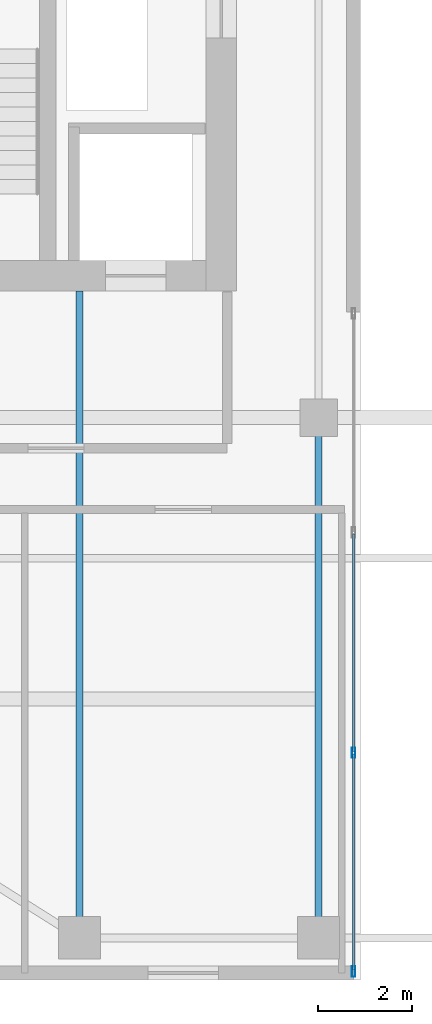
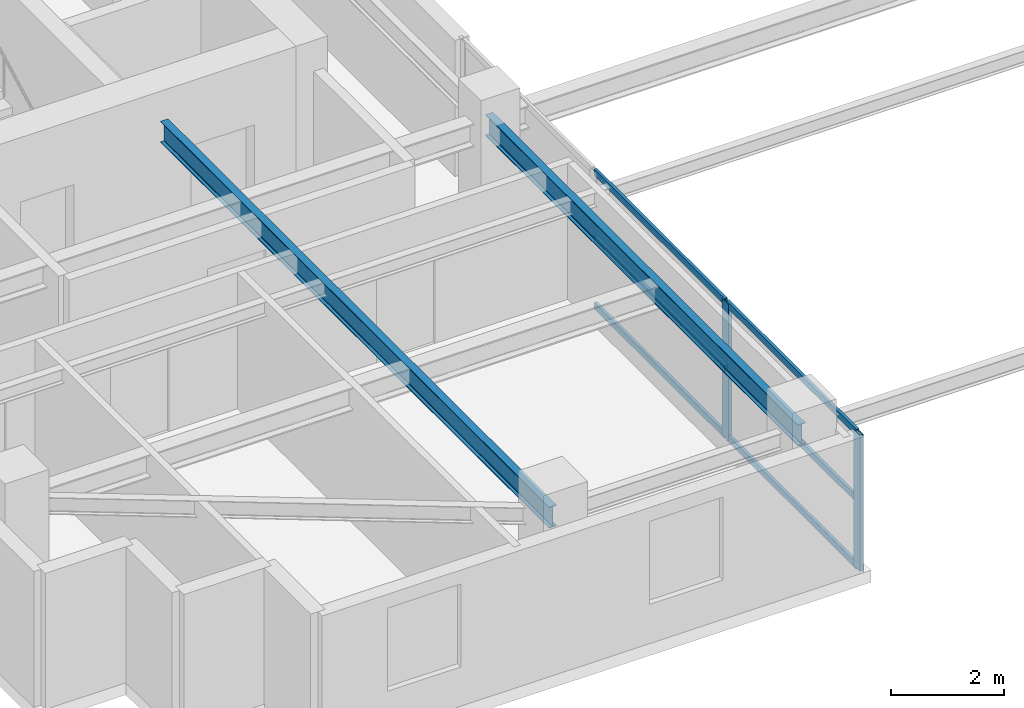
# One storey, part 2 of 21: 8 members, 2 beams, 1 element without a shape of its own.
"""IFC4 building model written with IfcOpenShell, lengths in metres."""

from ifc_helpers import new_model, si_unit, direction, frame, origin, origin_2d, place, context, subcontext, project, spatial, hollow_rectangle, i_section, extrude, source, transform, mapped, material, layer, layer_set, material_profile, profile_set, type_object, element, aggregate, save


model = new_model("IFC4")

# Units and contexts
model_context = context("Model", 3, precision=1e-05, world=origin(), true_north=direction((0.0, 1.0)))
body_context = subcontext(model_context, "Body", "Model", "MODEL_VIEW")
ifc_project = project(units=[si_unit("LENGTHUNIT", "METRE"), si_unit("AREAUNIT", "SQUARE_METRE"), si_unit("VOLUMEUNIT", "CUBIC_METRE"), si_unit("PLANEANGLEUNIT", "RADIAN"), si_unit("MASSUNIT", "GRAM", prefix="KILO")], contexts=[model_context])

# Site, building, storey
site_placement = place(None, origin())
site = spatial("IfcSite", under=ifc_project, at=site_placement, CompositionType="ELEMENT")
building_placement = place(site_placement, origin())
building = spatial("IfcBuilding", under=site, at=building_placement, Name="Khoralis Quay Care Tower", CompositionType="ELEMENT")
storey_placement = place(building_placement, frame((0.0, 0.0, 213.300048828125)))
storey = spatial("IfcBuildingStorey", under=building, at=storey_placement, Name="L56", CompositionType="ELEMENT", Elevation=213.300048828125)

# Beams
ifc_material_1 = material(Name="Steel S355", Category="steel")
ifc_material_profile_1 = material_profile(ifc_material_1, i_section(OverallWidth=0.154052734375, OverallDepth=0.458984375, WebThickness=0.009033203125, FlangeThickness=0.015380859375, FilletRadius=0.014892578125, at=origin_2d()), Name="Steel S355")
ifc_profile_set_1 = profile_set([ifc_material_profile_1], Name="Steel S355")
beam_type = type_object("IfcBeamType", Name="BM-W460X68", PredefinedType="BEAM", material=ifc_profile_set_1)
shared_shape_1 = source(origin(), body_context, "Body", "SweptSolid", [
    extrude(i_section(OverallWidth=0.154052734375, OverallDepth=0.458984375, WebThickness=0.009033203125, FlangeThickness=0.015380859375, FilletRadius=0.014892578125, at=origin_2d()), origin(), (0.0, 0.0, 1.0), 13.802001953125),
])
beam_1_placement = place(storey_placement, frame((12.0, 0.89990234375, 2.720458984375), z_axis=(0.0, 1.0, 0.0), x_axis=(-1.0, 0.0, 0.0)))
element("IfcBeam", 1, at=beam_1_placement, inside=storey, type_object=beam_type, Name="BM-TGYS-L56-120", PredefinedType="BEAM", context=body_context, shape_type="MappedRepresentation", body=[
    mapped(shared_shape_1, transform((0.0, 0.0, 0.0), scale=1.0)),
])
shared_shape_2 = source(origin(), body_context, "Body", "SweptSolid", [
    extrude(i_section(OverallWidth=0.154052734375, OverallDepth=0.458984375, WebThickness=0.009033203125, FlangeThickness=0.015380859375, FilletRadius=0.014892578125, at=origin_2d()), origin(), (0.0, 0.0, 1.0), 11.10009765625),
])
beam_2_placement = place(storey_placement, frame((17.10009765625, 0.89990234375, 2.720458984375), z_axis=(0.0, 1.0, 0.0), x_axis=(-1.0, 0.0, 0.0)))
element("IfcBeam", 2, at=beam_2_placement, inside=storey, type_object=beam_type, Name="BM-TGYS-L56-171", PredefinedType="BEAM", context=body_context, shape_type="MappedRepresentation", body=[
    mapped(shared_shape_2, transform((0.0, 0.0, 0.0), scale=1.0)),
])

# Curtain wall, members
ifc_material_2 = material(Name="Pale anodised aluminium", Category="aluminium")
ifc_layer = layer(ifc_material_2, 0.18994140625)
ifc_layer_set = layer_set([ifc_layer], Name="Pale anodised aluminium")
curtain_wall_type = type_object("IfcCurtainWallType", Name="CW-SYS-PORTAL", PredefinedType="NOTDEFINED", material=ifc_layer_set)
curtain_wall_placement = place(storey_placement, origin())
curtain_wall = element("IfcCurtainWall", 3, at=curtain_wall_placement, inside=storey, type_object=curtain_wall_type, Name="L56 Unitised Curtain Wall CW-VP-L56-P1-S", PredefinedType="NOTDEFINED")
ifc_material_profile_2 = material_profile(ifc_material_2, hollow_rectangle(XDim=0.06005859375, YDim=0.139892578125, WallThickness=0.00390625, at=origin_2d()), Name="Pale anodised aluminium")
ifc_profile_set_2 = profile_set([ifc_material_profile_2], Name="Pale anodised aluminium")
member_type_1 = type_object("IfcMemberType", Name="CW-TRN-140", PredefinedType="USERDEFINED", material=ifc_profile_set_2)
shared_shape_3 = source(origin(), body_context, "Body", "SweptSolid", [
    extrude(hollow_rectangle(XDim=0.06005859375, YDim=0.139892578125, WallThickness=0.00390625, at=origin_2d()), origin(), (0.0, 0.0, 1.0), 4.610107421875),
])
member_1_placement = place(storey_placement, frame((17.85009765625, 0.2099609375, 0.030029296875), z_axis=(0.0, 1.0, 0.0), x_axis=(-1.0, 0.0, 0.0)))
member_1 = element("IfcMember", 4, at=member_1_placement, type_object=member_type_1, Name="CW4 transom 1.1", ObjectType="TRANSOM", PredefinedType="USERDEFINED", context=body_context, shape_type="MappedRepresentation", body=[
    mapped(shared_shape_3, transform((0.0, 0.0, 0.0), scale=1.0)),
])
member_2_placement = place(storey_placement, frame((17.85009765625, 0.2099609375, 1.474853515625), z_axis=(0.0, 1.0, 0.0), x_axis=(-1.0, 0.0, 0.0)))
member_2 = element("IfcMember", 5, at=member_2_placement, type_object=member_type_1, Name="CW4 transom 1.2", ObjectType="TRANSOM", PredefinedType="USERDEFINED", context=body_context, shape_type="MappedRepresentation", body=[
    mapped(shared_shape_3, transform((0.0, 0.0, 0.0), scale=1.0)),
])
member_3_placement = place(storey_placement, frame((17.85009765625, 0.2099609375, 2.919921875), z_axis=(0.0, 1.0, 0.0), x_axis=(-1.0, 0.0, 0.0)))
member_3 = element("IfcMember", 6, at=member_3_placement, type_object=member_type_1, Name="CW4 transom 1.3", ObjectType="TRANSOM", PredefinedType="USERDEFINED", context=body_context, shape_type="MappedRepresentation", body=[
    mapped(shared_shape_3, transform((0.0, 0.0, 0.0), scale=1.0)),
])
shared_shape_4 = source(origin(), body_context, "Body", "SweptSolid", [
    extrude(hollow_rectangle(XDim=0.06005859375, YDim=0.139892578125, WallThickness=0.00390625, at=origin_2d()), origin(), (0.0, 0.0, 1.0), 4.64013671875),
])
member_4_placement = place(storey_placement, frame((17.85009765625, 4.8798828125, 0.030029296875), z_axis=(0.0, 1.0, 0.0), x_axis=(-1.0, 0.0, 0.0)))
member_4 = element("IfcMember", 7, at=member_4_placement, type_object=member_type_1, Name="CW4 transom 2.1", ObjectType="TRANSOM", PredefinedType="USERDEFINED", context=body_context, shape_type="MappedRepresentation", body=[
    mapped(shared_shape_4, transform((0.0, 0.0, 0.0), scale=1.0)),
])
member_5_placement = place(storey_placement, frame((17.85009765625, 4.8798828125, 1.474853515625), z_axis=(0.0, 1.0, 0.0), x_axis=(-1.0, 0.0, 0.0)))
member_5 = element("IfcMember", 8, at=member_5_placement, type_object=member_type_1, Name="CW4 transom 2.2", ObjectType="TRANSOM", PredefinedType="USERDEFINED", context=body_context, shape_type="MappedRepresentation", body=[
    mapped(shared_shape_4, transform((0.0, 0.0, 0.0), scale=1.0)),
])
member_6_placement = place(storey_placement, frame((17.85009765625, 4.8798828125, 2.919921875), z_axis=(0.0, 1.0, 0.0), x_axis=(-1.0, 0.0, 0.0)))
member_6 = element("IfcMember", 9, at=member_6_placement, type_object=member_type_1, Name="CW4 transom 2.3", ObjectType="TRANSOM", PredefinedType="USERDEFINED", context=body_context, shape_type="MappedRepresentation", body=[
    mapped(shared_shape_4, transform((0.0, 0.0, 0.0), scale=1.0)),
])
ifc_material_profile_3 = material_profile(ifc_material_2, hollow_rectangle(XDim=0.074951171875, YDim=0.219970703125, WallThickness=0.00390625, at=origin_2d()), Name="Pale anodised aluminium")
ifc_profile_set_3 = profile_set([ifc_material_profile_3], Name="Pale anodised aluminium")
member_type_2 = type_object("IfcMemberType", Name="CW-MUL-220", PredefinedType="MULLION", material=ifc_profile_set_3)
shared_shape_5 = source(origin(), body_context, "Body", "SweptSolid", [
    extrude(hollow_rectangle(XDim=0.074951171875, YDim=0.219970703125, WallThickness=0.00390625, at=origin_2d()), origin(), (0.0, 0.0, 1.0), 2.949951171875),
])
member_7_placement = place(storey_placement, frame((17.85009765625, 0.179931640625, 0.0), z_axis=(0.0, 0.0, 1.0), x_axis=(-1.0, 0.0, 0.0)))
member_7 = element("IfcMember", 10, at=member_7_placement, type_object=member_type_2, Name="CW4 mullion 1", PredefinedType="MULLION", context=body_context, shape_type="MappedRepresentation", body=[
    mapped(shared_shape_5, transform((0.0, 0.0, 0.0), scale=1.0)),
])
member_8_placement = place(storey_placement, frame((17.85009765625, 4.85009765625, 0.0), z_axis=(0.0, 0.0, 1.0), x_axis=(-1.0, 0.0, 0.0)))
member_8 = element("IfcMember", 11, at=member_8_placement, type_object=member_type_2, Name="CW4 mullion 2", PredefinedType="MULLION", context=body_context, shape_type="MappedRepresentation", body=[
    mapped(shared_shape_5, transform((0.0, 0.0, 0.0), scale=1.0)),
])
aggregate(curtain_wall, [member_7, member_8, member_1, member_2, member_3, member_4, member_5, member_6])

save(model, "model.ifc")
